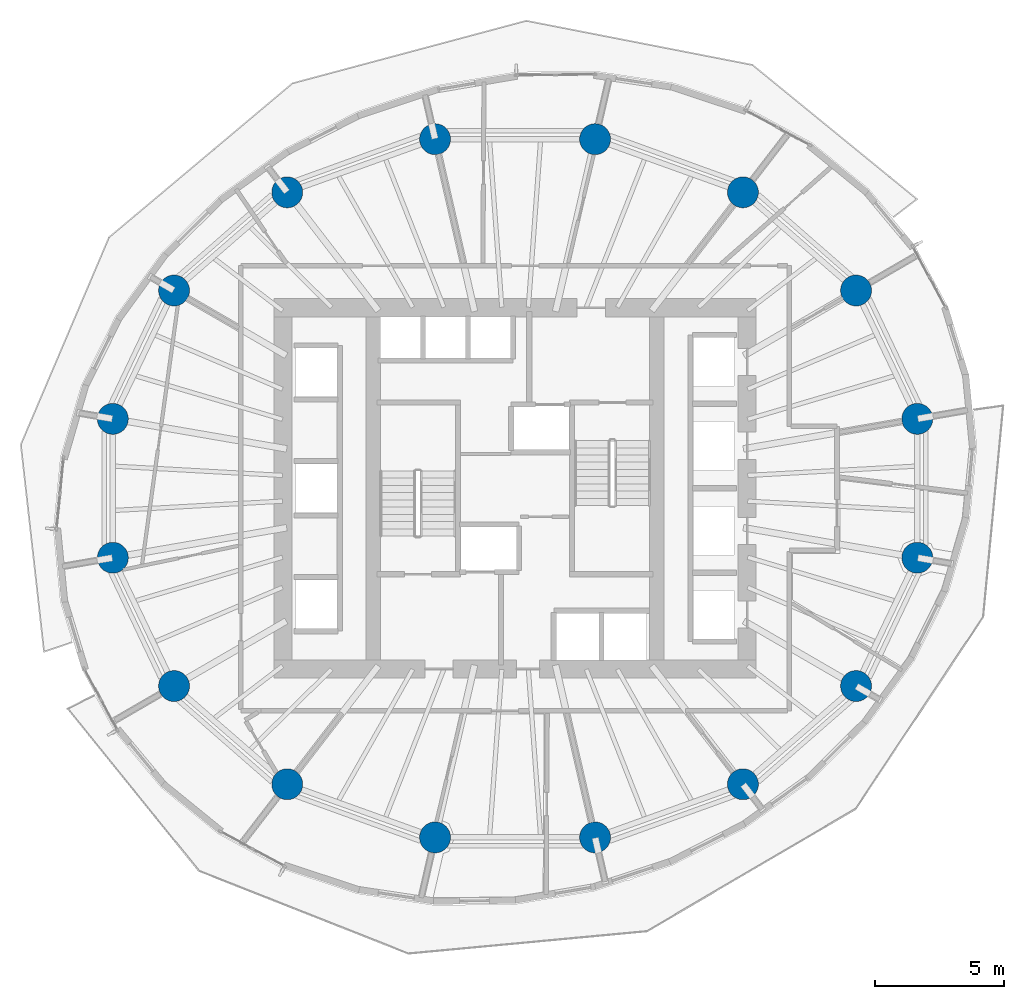
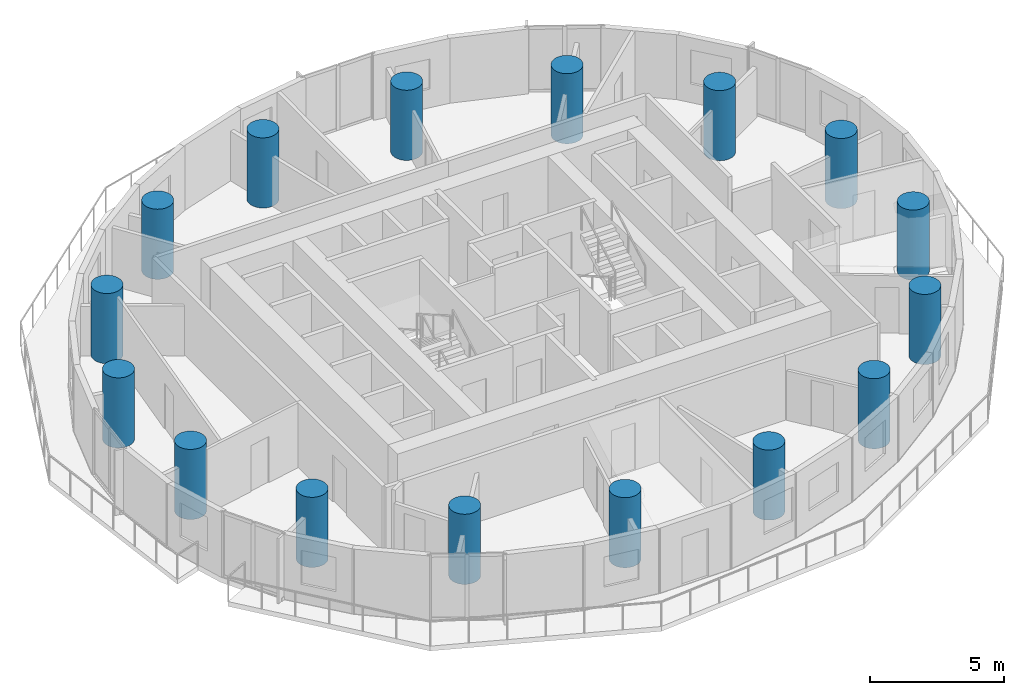
# One storey, part 1 of 14: 16 columns.
"""IFC4 building model written with IfcOpenShell, lengths in metres."""

from ifc_helpers import new_model, si_unit, direction, frame, origin, origin_2d, place, context, subcontext, project, spatial, circle, extrude, material, material_profile, profile_set, type_object, element, save


model = new_model("IFC4")

# Units and contexts
model_context = context("Model", 3, precision=1e-05, world=origin(), true_north=direction((0.0, 1.0)))
body_context = subcontext(model_context, "Body", "Model", "MODEL_VIEW")
ifc_project = project(units=[si_unit("LENGTHUNIT", "METRE"), si_unit("AREAUNIT", "SQUARE_METRE"), si_unit("VOLUMEUNIT", "CUBIC_METRE"), si_unit("PLANEANGLEUNIT", "RADIAN"), si_unit("MASSUNIT", "GRAM", prefix="KILO")], contexts=[model_context])

# Site, building, storey
site_placement = place(None, origin())
site = spatial("IfcSite", under=ifc_project, at=site_placement, CompositionType="ELEMENT")
building_placement = place(site_placement, origin())
building = spatial("IfcBuilding", under=site, at=building_placement, Name="Veldorim Arch Residences", CompositionType="ELEMENT")
storey_placement = place(building_placement, frame((0.0, 0.0, 99.679931640625)))
storey = spatial("IfcBuildingStorey", under=building, at=storey_placement, Name="L29", CompositionType="ELEMENT", Elevation=99.679931640625)

# Columns
ifc_material = material(Name="Concrete C60/75", Category="concrete")
ifc_material_profile = material_profile(ifc_material, circle(Radius=0.60009765625, at=origin_2d()), Name="RC_CIRC_1200")
ifc_profile_set = profile_set([ifc_material_profile], Name="Concrete C60/75")
column_type = type_object("IfcColumnType", Name="Structural Column RC_CIRC_1200", PredefinedType="COLUMN", material=ifc_profile_set)
for number, where, z_axis, x_axis, name in (
    (1, (47.594482421875, 26.692138671875, 0.0), (0.0, 0.0, 1.0), (1.0, 0.0, 0.0), "L29 TC-Z2-01 perimeter column"),
    (2, (45.220458984375, 31.6669921875, 0.0), (0.0, 0.0, 1.0), (1.0, 0.0, 0.0), "L29 TC-Z2-02 perimeter column"),
    (3, (40.83349609375, 35.474365234375, 0.0), (0.0, 0.0, 1.0), (1.0, 0.0, 0.0), "L29 TC-Z2-03 perimeter column"),
    (4, (35.101806640625, 37.534912109375, 0.0), (0.0, 0.0, 1.0), (1.0, 0.0, 0.0), "L29 TC-Z2-04 perimeter column"),
    (5, (28.898193359375, 37.534912109375, 0.0), (0.0, 0.0, 1.0), (1.0, 0.0, 0.0), "L29 TC-Z2-05 perimeter column"),
    (6, (23.16650390625, 35.474365234375, 0.0), (0.0, 0.0, 1.0), (1.0, 0.0, 0.0), "L29 TC-Z2-06 perimeter column"),
    (7, (18.779541015625, 31.6669921875, 0.0), (0.0, 0.0, 1.0), (1.0, 0.0, 0.0), "L29 TC-Z2-07 perimeter column"),
    (8, (16.405517578125, 26.692138671875, 0.0), (0.0, 0.0, 1.0), (1.0, 0.0, 0.0), "L29 TC-Z2-08 perimeter column"),
    (9, (16.405517578125, 21.307861328125, 0.0), (0.0, 0.0, 1.0), (1.0, 0.0, 0.0), "L29 TC-Z2-09 perimeter column"),
    (10, (18.779541015625, 16.3330078125, 0.0), (0.0, 0.0, 1.0), (1.0, 0.0, 0.0), "L29 TC-Z2-10 perimeter column"),
    (11, (23.16650390625, 12.525634765625, 0.0), (0.0, 0.0, 1.0), (1.0, 0.0, 0.0), "L29 TC-Z2-11 perimeter column"),
    (12, (28.898193359375, 10.465087890625, 0.0), (0.0, 0.0, 1.0), (1.0, 0.0, 0.0), "L29 TC-Z2-12 perimeter column"),
    (13, (35.101806640625, 10.465087890625, 0.0), (0.0, 0.0, 1.0), (1.0, 0.0, 0.0), "L29 TC-Z2-13 perimeter column"),
    (14, (40.83349609375, 12.525634765625, 0.0), (0.0, 0.0, 1.0), (1.0, 0.0, 0.0), "L29 TC-Z2-14 perimeter column"),
    (15, (45.220458984375, 16.3330078125, 0.0), (0.0, 0.0, 1.0), (1.0, 0.0, 0.0), "L29 TC-Z2-15 perimeter column"),
    (16, (47.594482421875, 21.307861328125, 0.0), (0.0, 0.0, 1.0), (1.0, 0.0, 0.0), "L29 TC-Z2-16 perimeter column"),
):
    element("IfcColumn", number, at=place(storey_placement, frame(where, z_axis=z_axis, x_axis=x_axis)), inside=storey, type_object=column_type, Name=name, PredefinedType="COLUMN", context=body_context, shape_type="SweptSolid", body=[
        extrude(circle(Radius=0.60009765625, at=origin_2d()), origin(), (0.0, 0.0, 1.0), 3.199951171875),
    ])

save(model, "model.ifc")
